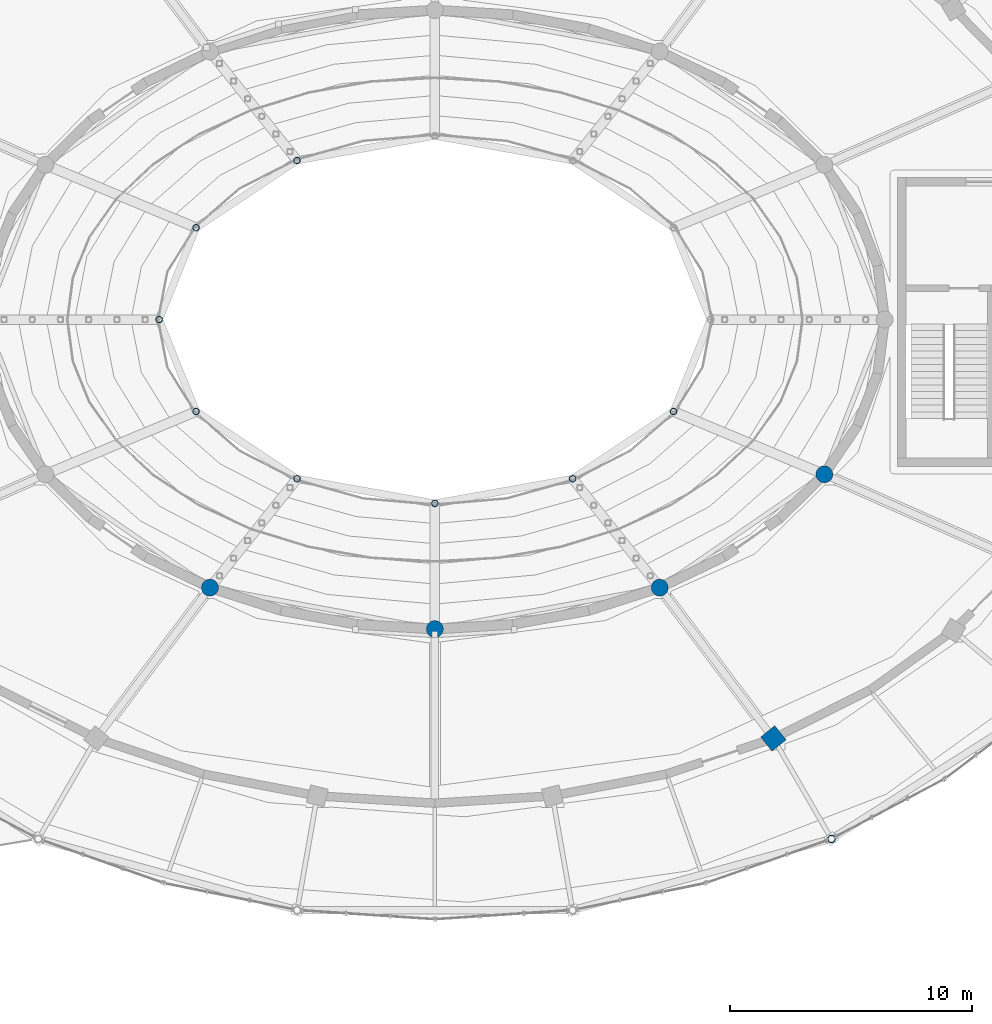
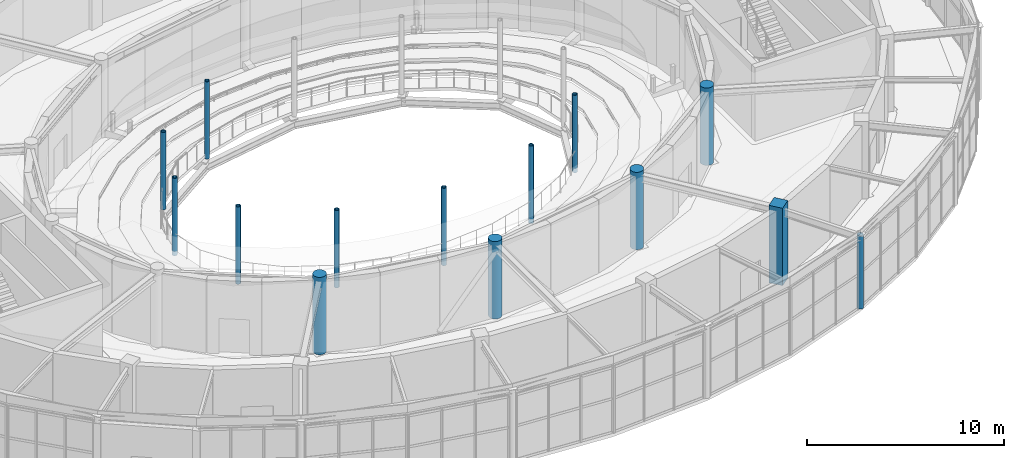
# One storey, part 6 of 108: 14 columns.
"""IFC4 building model written with IfcOpenShell, lengths in metres."""

from ifc_helpers import new_model, si_unit, direction, frame, origin, origin_2d, place, context, subcontext, project, spatial, rectangle, circle, hollow_circle, extrude, material, material_profile, profile_set, type_object, element, save


model = new_model("IFC4")

# Units and contexts
model_context = context("Model", 3, precision=1e-05, world=origin(), true_north=direction((0.0, 1.0)))
body_context = subcontext(model_context, "Body", "Model", "MODEL_VIEW")
ifc_project = project(units=[si_unit("LENGTHUNIT", "METRE"), si_unit("AREAUNIT", "SQUARE_METRE"), si_unit("VOLUMEUNIT", "CUBIC_METRE"), si_unit("PLANEANGLEUNIT", "RADIAN"), si_unit("MASSUNIT", "GRAM", prefix="KILO")], contexts=[model_context])

# Site, building, storey
site_placement = place(None, origin())
site = spatial("IfcSite", under=ifc_project, at=site_placement, CompositionType="ELEMENT")
building_placement = place(site_placement, origin())
building = spatial("IfcBuilding", under=site, at=building_placement, Name="Tarnveldt Headland Concert Hall", CompositionType="ELEMENT")
storey_placement = place(building_placement, frame((0.0, 0.0, 9.60009765625)))
storey = spatial("IfcBuildingStorey", under=building, at=storey_placement, Name="L02", CompositionType="ELEMENT", Elevation=9.60009765625)

# Columns
ifc_material_1 = material(Name="Concrete C40/50", Category="concrete")
ifc_material_profile_1 = material_profile(ifc_material_1, rectangle(XDim=0.75, YDim=0.75, at=origin_2d()), Name="RC 750x750", Category="concrete")
ifc_profile_set_1 = profile_set([ifc_material_profile_1], Name="Concrete C40/50")
column_type_1 = type_object("IfcColumnType", Name="CC-750", PredefinedType="COLUMN", material=ifc_profile_set_1)
column_1_placement = place(storey_placement, frame((97.5, 37.179443359375, 0.0), z_axis=(0.0, 0.0, 1.0), x_axis=(0.628641963719, -0.777694851116, 0.0)))
element("IfcColumn", 1, at=column_1_placement, inside=storey, type_object=column_type_1, Name="Column V2DC16 L02", PredefinedType="COLUMN", context=body_context, shape_type="SweptSolid", body=[
    extrude(rectangle(XDim=0.75, YDim=0.75, at=origin_2d()), origin(), (0.0, 0.0, 1.0), 4.7998046875),
])
ifc_material_profile_2 = material_profile(ifc_material_1, circle(Radius=0.35009765625, at=origin_2d()), Name="RC D700", Category="concrete")
ifc_profile_set_2 = profile_set([ifc_material_profile_2], Name="Concrete C40/50")
column_type_2 = type_object("IfcColumnType", Name="DC-700", PredefinedType="COLUMN", material=ifc_profile_set_2)
for number, where, z_axis, x_axis, name in (
    (2, (74.199951171875, 43.414794921875, 0.0), (0.0, 0.0, 1.0), (-0.642787609687, -0.766044443119, 0.0), "Column V2IC09 L02"),
    (3, (83.5, 41.699951171875, 0.0), (0.0, 0.0, 1.0), (0.0, -1.0, 0.0), "Column V2IC10 L02"),
    (4, (92.800048828125, 43.414794921875, 0.0), (0.0, 0.0, 1.0), (0.642787609687, -0.766044443119, 0.0), "Column V2IC11 L02"),
    (5, (99.608154296875, 48.10009765625, 0.0), (0.0, 0.0, 1.0), (0.929326043111, -0.369260213935, 0.0), "Column V2IC12 L02"),
):
    element("IfcColumn", number, at=place(storey_placement, frame(where, z_axis=z_axis, x_axis=x_axis)), inside=storey, type_object=column_type_2, Name=name, PredefinedType="COLUMN", context=body_context, shape_type="SweptSolid", body=[
        extrude(circle(Radius=0.35009765625, at=origin_2d()), origin(), (0.0, 0.0, 1.0), 4.7998046875),
    ])
ifc_material_2 = material(Name="Steel S355", Category="steel")
ifc_material_profile_3 = material_profile(ifc_material_2, hollow_circle(Radius=0.136474609375, WallThickness=0.01611328125, at=origin_2d()), Name="CHS 273x16", Category="steel")
ifc_profile_set_3 = profile_set([ifc_material_profile_3], Name="Steel S355")
column_type_3 = type_object("IfcColumnType", Name="SC-CHS273", PredefinedType="COLUMN", material=ifc_profile_set_3)
for number, where, z_axis, x_axis, name in (
    (6, (77.800048828125, 61.081787109375, 0.0), (0.0, 0.0, 1.0), (1.0, 0.0, 0.0), "Tier ring column 5 L02"),
    (7, (73.627197265625, 58.300048828125, 0.0), (0.0, 0.0, 1.0), (1.0, 0.0, 0.0), "Tier ring column 6 L02"),
    (8, (72.10009765625, 54.5, 0.0), (0.0, 0.0, 1.0), (1.0, 0.0, 0.0), "Tier ring column 7 L02"),
    (9, (73.627197265625, 50.699951171875, 0.0), (0.0, 0.0, 1.0), (1.0, 0.0, 0.0), "Tier ring column 8 L02"),
    (10, (77.800048828125, 47.918212890625, 0.0), (0.0, 0.0, 1.0), (1.0, 0.0, 0.0), "Tier ring column 9 L02"),
    (11, (83.5, 46.89990234375, 0.0), (0.0, 0.0, 1.0), (1.0, 0.0, 0.0), "Tier ring column 10 L02"),
    (12, (89.199951171875, 47.918212890625, 0.0), (0.0, 0.0, 1.0), (1.0, 0.0, 0.0), "Tier ring column 11 L02"),
    (13, (93.372802734375, 50.699951171875, 0.0), (0.0, 0.0, 1.0), (1.0, 0.0, 0.0), "Tier ring column 12 L02"),
):
    element("IfcColumn", number, at=place(storey_placement, frame(where, z_axis=z_axis, x_axis=x_axis)), inside=storey, type_object=column_type_3, Name=name, PredefinedType="COLUMN", context=body_context, shape_type="SweptSolid", body=[
        extrude(hollow_circle(Radius=0.136474609375, WallThickness=0.01611328125, at=origin_2d()), origin(), (0.0, 0.0, 1.0), 4.7998046875),
    ])
ifc_material_profile_4 = material_profile(ifc_material_2, hollow_circle(Radius=0.161865234375, WallThickness=0.02001953125, at=origin_2d()), Name="CHS 323.9x20", Category="steel")
ifc_profile_set_4 = profile_set([ifc_material_profile_4], Name="Steel S355")
column_type_4 = type_object("IfcColumnType", Name="SC-CHS323", PredefinedType="COLUMN", material=ifc_profile_set_4)
column_2_placement = place(storey_placement, frame((99.89990234375, 33.022705078125, 0.0), z_axis=(0.0, 0.0, 1.0), x_axis=(0.606959801962, -0.79473253287, 0.0)))
element("IfcColumn", 14, at=column_2_placement, inside=storey, type_object=column_type_4, Name="Column V1C16 L02", PredefinedType="COLUMN", context=body_context, shape_type="SweptSolid", body=[
    extrude(hollow_circle(Radius=0.161865234375, WallThickness=0.02001953125, at=origin_2d()), origin(), (0.0, 0.0, 1.0), 4.5498046875),
])

save(model, "model.ifc")
